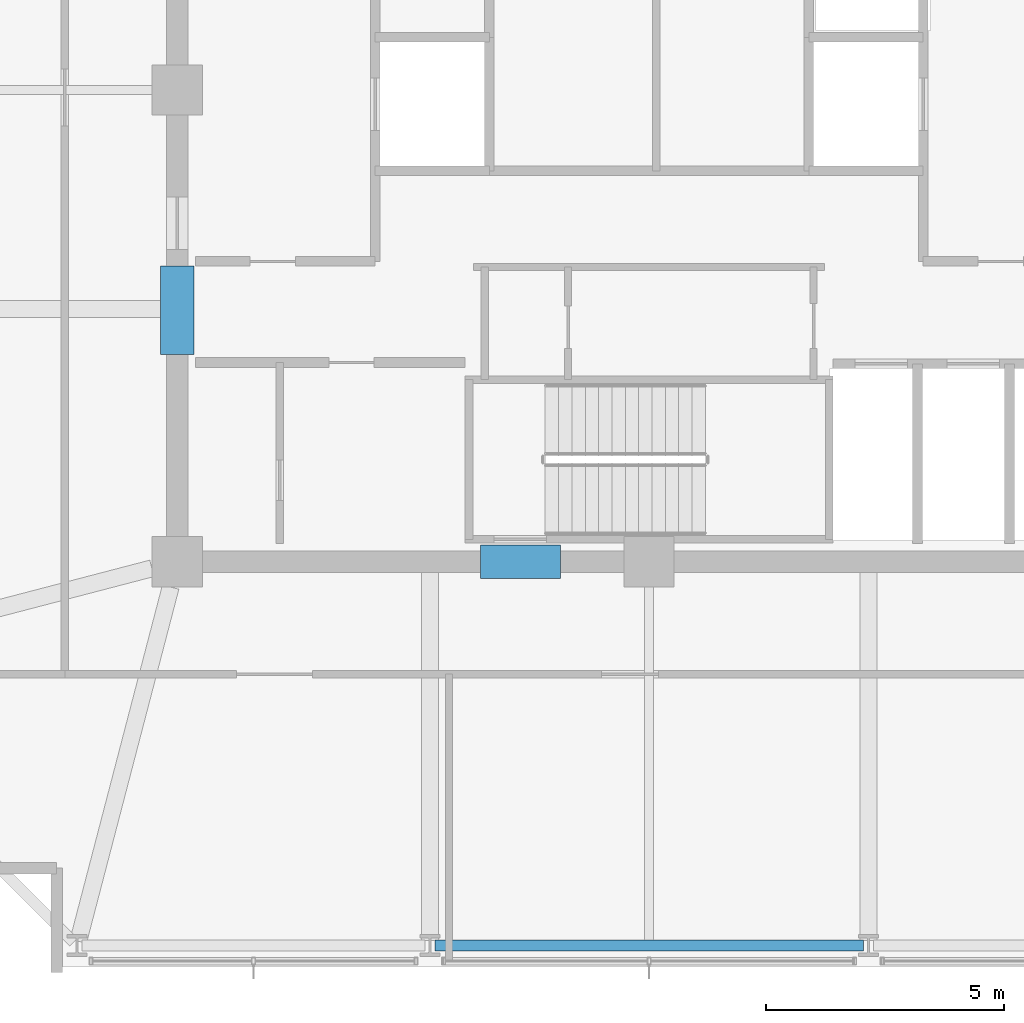
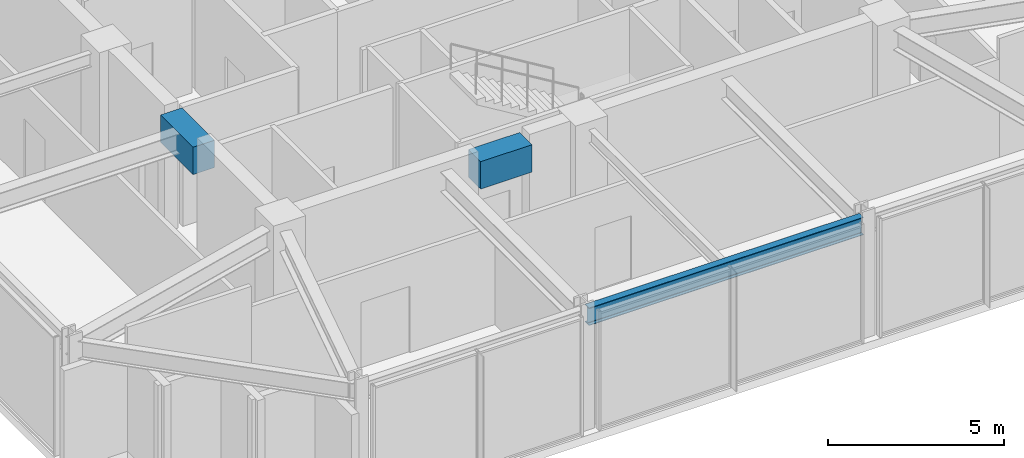
# One storey, part 5 of 26: 3 beams.
"""IFC4 building model written with IfcOpenShell, lengths in metres."""

from ifc_helpers import new_model, si_unit, direction, frame, origin, origin_2d, place, context, subcontext, project, spatial, rectangle, i_section, extrude, material, material_profile, profile_set, type_object, element, save


model = new_model("IFC4")

# Units and contexts
model_context = context("Model", 3, precision=1e-05, world=origin(), true_north=direction((0.0, 1.0)))
body_context = subcontext(model_context, "Body", "Model", "MODEL_VIEW")
ifc_project = project(units=[si_unit("LENGTHUNIT", "METRE"), si_unit("AREAUNIT", "SQUARE_METRE"), si_unit("VOLUMEUNIT", "CUBIC_METRE"), si_unit("PLANEANGLEUNIT", "RADIAN"), si_unit("MASSUNIT", "GRAM", prefix="KILO")], contexts=[model_context])

# Site, building, storey
site_placement = place(None, origin())
site = spatial("IfcSite", under=ifc_project, at=site_placement, CompositionType="ELEMENT")
building_placement = place(site_placement, origin())
building = spatial("IfcBuilding", under=site, at=building_placement, Name="Kolvaren Belvedere", CompositionType="ELEMENT")
storey_placement = place(building_placement, frame((0.0, 0.0, 258.39990234375)))
storey = spatial("IfcBuildingStorey", under=building, at=storey_placement, Name="L75", CompositionType="ELEMENT", Elevation=258.39990234375)

# Beams
ifc_material_1 = material(Name="Concrete C60/75", Category="concrete")
ifc_material_profile_1 = material_profile(ifc_material_1, rectangle(XDim=0.699951171875, YDim=0.949951171875, at=origin_2d()), Name="RC 700X950")
ifc_profile_set_1 = profile_set([ifc_material_profile_1], Name="Concrete C60/75")
beam_type_1 = type_object("IfcBeamType", Name="BM-LINT-950", PredefinedType="LINTEL", material=ifc_profile_set_1)
beam_1_placement = place(storey_placement, frame((-3.5400390625, -9.89990234375, 3.64501953125), z_axis=(1.0, 0.0, 0.0), x_axis=(0.0, 1.0, 0.0)))
element("IfcBeam", 1, at=beam_1_placement, inside=storey, type_object=beam_type_1, Name="L75 South Core Coupling Lintel", PredefinedType="LINTEL", context=body_context, shape_type="SweptSolid", body=[
    extrude(rectangle(XDim=0.699951171875, YDim=0.949951171875, at=origin_2d()), origin(), (0.0, 0.0, 1.0), 1.679931640625),
])
beam_2_placement = place(storey_placement, frame((-9.89990234375, -5.550048828125, 3.64501953125), z_axis=(0.0, 1.0, 0.0), x_axis=(-1.0, 0.0, 0.0)))
element("IfcBeam", 2, at=beam_2_placement, inside=storey, type_object=beam_type_1, Name="L75 West Core Coupling Lintel", PredefinedType="LINTEL", context=body_context, shape_type="SweptSolid", body=[
    extrude(rectangle(XDim=0.699951171875, YDim=0.949951171875, at=origin_2d()), origin(), (0.0, 0.0, 1.0), 1.85009765625),
])
ifc_material_2 = material(Name="Structural steel ASTM A992 Grade 50", Category="steel")
ifc_material_profile_2 = material_profile(ifc_material_2, i_section(OverallWidth=0.22900390625, OverallDepth=0.612060546875, WebThickness=0.011962890625, FlangeThickness=0.01953125, FilletRadius=0.01806640625, at=origin_2d()), Name="W24X84")
ifc_profile_set_2 = profile_set([ifc_material_profile_2], Name="Structural steel ASTM A992 Grade 50")
beam_type_2 = type_object("IfcBeamType", Name="BM-SPAN-W24X84", PredefinedType="SPANDREL", material=ifc_profile_set_2)
beam_3_placement = place(storey_placement, frame((-4.495361328125, -17.949951171875, 3.814208984375), z_axis=(1.0, 0.0, 0.0), x_axis=(0.0, 1.0, 0.0)))
element("IfcBeam", 3, at=beam_3_placement, inside=storey, type_object=beam_type_2, Name="L75 Perimeter Spandrel S2-S3", PredefinedType="SPANDREL", context=body_context, shape_type="SweptSolid", body=[
    extrude(i_section(OverallWidth=0.22900390625, OverallDepth=0.612060546875, WebThickness=0.011962890625, FlangeThickness=0.01953125, FilletRadius=0.01806640625, at=origin_2d()), origin(), (0.0, 0.0, 1.0), 8.99072265625),
])

save(model, "model.ifc")
